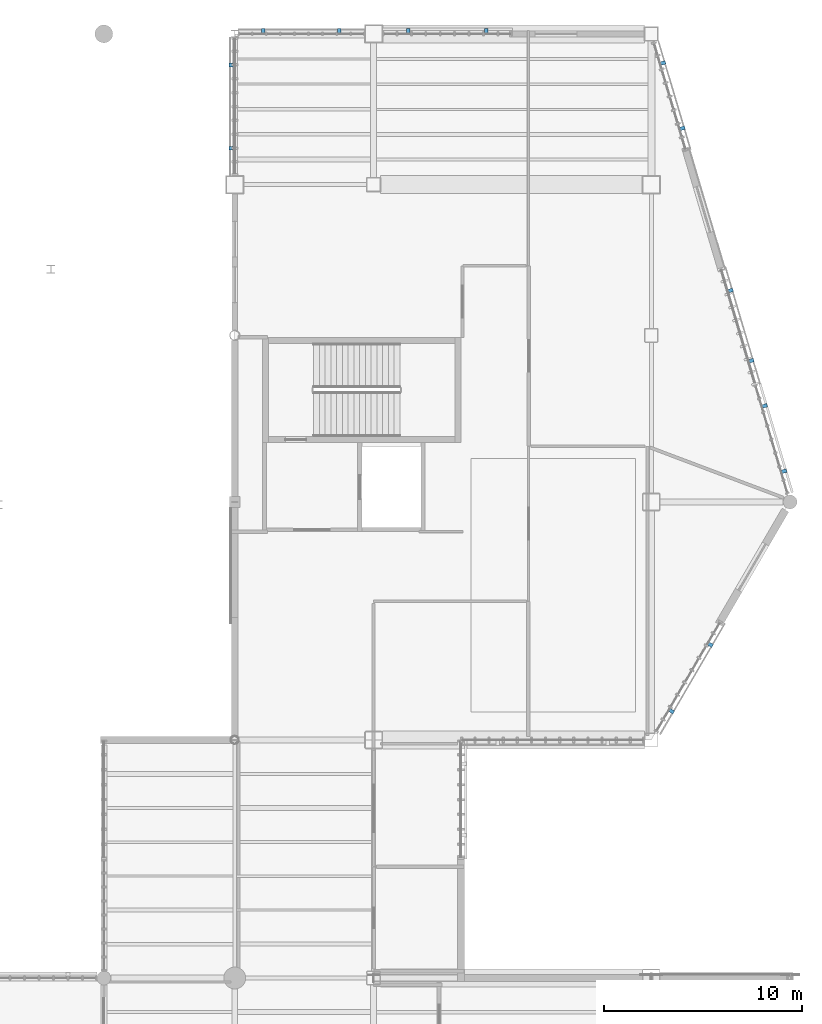
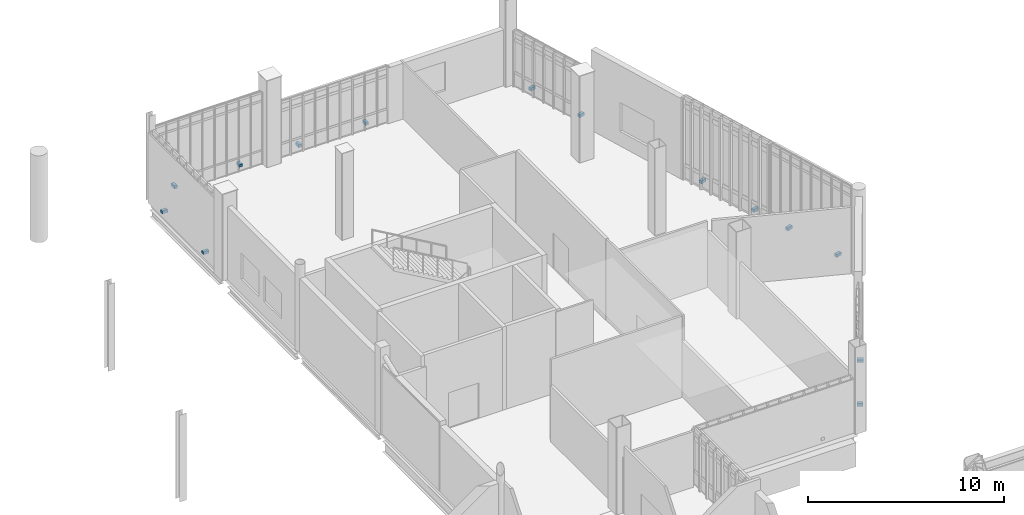
# One storey, part 116 of 127: 14 discrete accessories.
"""IFC4 building model written with IfcOpenShell, lengths in metres."""

import ifcopenshell
import ifcopenshell.guid

model = None  # the IFC model being written
_history = None  # IfcOwnerHistory: only IFC2X3 demands one
_inside = {}  # id of a spatial element -> (the spatial element, [elements in it])
_under = {}  # id of a project, library or spatial element -> (it, [spatial elements below it])
_declared = {}  # id of a project -> (the project, [libraries it declares])
_typed = {}  # id of a type object -> (the type object, [elements of that type])
_made_of = {}  # id of a material, layer set ... -> (it, [elements and type objects made of it])


def new_model(schema):
    """Start an empty IFC model of exactly this schema.

    Asked for "IFC4X3", IfcOpenShell would pick the latest addendum, in which some entities
    have other attributes; the version numbers below select the first issue.
    IFC2X3 requires an IfcOwnerHistory on every rooted entity: one is made here for all.
    """
    global model, _history
    if schema == "IFC4X3":
        model = ifcopenshell.file(schema_version=(4, 3, 0, 0))
    else:
        model = ifcopenshell.file(schema=schema)
    _inside.clear()
    _under.clear()
    _declared.clear()
    _typed.clear()
    _made_of.clear()
    _history = None
    if model.schema == "IFC2X3":
        org = make("IfcOrganization", Name="unknown")
        user = make(
            "IfcPersonAndOrganization",
            ThePerson=make("IfcPerson", FamilyName="unknown"),
            TheOrganization=org,
        )
        app = make(
            "IfcApplication",
            ApplicationDeveloper=org,
            Version="unknown",
            ApplicationFullName="unknown",
            ApplicationIdentifier="unknown",
        )
        _history = make(
            "IfcOwnerHistory",
            OwningUser=user,
            OwningApplication=app,
            ChangeAction="ADDED",
            CreationDate=0,
        )
    return model


def make(cls, **values):
    """One entity of the class cls with the attributes given. An attribute that is None is left unset."""
    return model.create_entity(
        cls, **{name: value for name, value in values.items() if value is not None}
    )


def rooted(cls, **values):
    """An entity with a GlobalId (a new one), such as an element, a storey or a relation."""
    return make(cls, GlobalId=ifcopenshell.guid.new(), OwnerHistory=_history, **values)


def si_unit(unit_type, name, prefix=None):
    """IfcSIUnit, for example si_unit("LENGTHUNIT", "METRE", prefix="MILLI")."""
    return make("IfcSIUnit", UnitType=unit_type, Prefix=prefix, Name=name)


def assignment(units):
    """IfcUnitAssignment: the units of a project."""
    return None if units is None else make("IfcUnitAssignment", Units=units)


def point(xyz):
    """IfcCartesianPoint."""
    return None if xyz is None else make("IfcCartesianPoint", Coordinates=xyz)


def direction(xyz):
    """IfcDirection."""
    return None if xyz is None else make("IfcDirection", DirectionRatios=xyz)


def frame(location, z_axis=None, x_axis=None):
    """IfcAxis2Placement3D, a coordinate frame: its origin and axes. An axis left out is left unset."""
    return make(
        "IfcAxis2Placement3D",
        Location=point(location),
        Axis=direction(z_axis),
        RefDirection=direction(x_axis),
    )


def frame_2d(location, x_axis=None):
    """IfcAxis2Placement2D, a coordinate frame in the plane: its origin and x axis."""
    return make(
        "IfcAxis2Placement2D", Location=point(location), RefDirection=direction(x_axis)
    )


def origin():
    """The frame at (0, 0, 0) with its axes left unset."""
    return frame((0.0, 0.0, 0.0))


def origin_2d():
    """The frame at (0, 0) in the plane with its x axis left unset."""
    return frame_2d((0.0, 0.0))


def place(relative_to, where):
    """IfcLocalPlacement: puts the frame where relative to a parent placement (None: the world)."""
    return make(
        "IfcLocalPlacement", PlacementRelTo=relative_to, RelativePlacement=where
    )


def context(
    kind, dimensions, precision=None, world=None, true_north=None, identifier=None
):
    """IfcGeometricRepresentationContext, for example the 3D "Model" context."""
    return make(
        "IfcGeometricRepresentationContext",
        ContextIdentifier=identifier,
        ContextType=kind,
        CoordinateSpaceDimension=dimensions,
        Precision=precision,
        WorldCoordinateSystem=world,
        TrueNorth=true_north,
    )


def subcontext(parent, identifier, kind, view, scale=None):
    """IfcGeometricRepresentationSubContext, for example "Body" below "Model"."""
    return make(
        "IfcGeometricRepresentationSubContext",
        ContextIdentifier=identifier,
        ContextType=kind,
        ParentContext=parent,
        TargetScale=scale,
        TargetView=view,
    )


def project(units=None, contexts=None):
    """IfcProject with its units and contexts."""
    return rooted(
        "IfcProject",
        Name="project",
        RepresentationContexts=contexts,
        UnitsInContext=assignment(units),
    )


def spatial(cls, under=None, at=None, **own):
    """A site, building, storey or space (cls), placed at a placement, below another one or the project."""
    s = rooted(cls, ObjectPlacement=at, **own)
    if under is not None:
        _under.setdefault(under.id(), (under, []))[1].append(s)
    return s


def profile(cls, at=None, kind="AREA", **sizes):
    """A parametric profile (cls). Its sizes go by their IFC names, for example OverallWidth=200.0."""
    return make(cls, ProfileType=kind, Position=at, **sizes)


def rectangle(**sizes):
    """IfcRectangleProfileDef."""
    return profile("IfcRectangleProfileDef", **sizes)


def extrude(swept, where, along, depth):
    """IfcExtrudedAreaSolid: the profile swept, set in the frame where, extruded along a direction by depth."""
    return make(
        "IfcExtrudedAreaSolid",
        SweptArea=swept,
        Position=where,
        ExtrudedDirection=direction(along),
        Depth=depth,
    )


def shape(context_of_items, identifier, shape_type, items):
    """IfcShapeRepresentation: the items that make up one representation, for example the "Body"."""
    return make(
        "IfcShapeRepresentation",
        ContextOfItems=context_of_items,
        RepresentationIdentifier=identifier,
        RepresentationType=shape_type,
        Items=items,
    )


def material(Name=None, Category=None):
    """IfcMaterial."""
    return make("IfcMaterial", Name=Name, Category=Category)


def layer(
    of_material, thickness, ventilated=None, Name=None, Category=None, Priority=None
):
    """IfcMaterialLayer: one layer of a wall or slab, of a material (None: an air gap)."""
    return make(
        "IfcMaterialLayer",
        Material=of_material,
        LayerThickness=thickness,
        IsVentilated=ventilated,
        Name=Name,
        Category=Category,
        Priority=Priority,
    )


def layer_set(layers, Name=None):
    """IfcMaterialLayerSet."""
    return make("IfcMaterialLayerSet", MaterialLayers=layers, LayerSetName=Name)


def made_of(thing, what):
    """Note that an element or type object is made of a material, layer set ...; save() writes the relation."""
    if what is not None:
        _made_of.setdefault(what.id(), (what, []))[1].append(thing)
    return thing


def type_object(cls, material=None, **own):
    """A type object (cls), such as IfcWallType, which elements share."""
    return made_of(rooted(cls, **own), material)


def element(
    cls,
    number,
    at=None,
    inside=None,
    cuts=None,
    type_object=None,
    material=None,
    context=None,
    identifier="Body",
    shape_type=None,
    held_by="IfcProductDefinitionShape",
    body=None,
    shapes=None,
    **own,
):
    """One element of the class cls, such as IfcWall. Its Tag is "e" and its number.

    at: its placement. inside: the storey or other place that contains it. cuts: it is an
    opening in that element (IfcRelVoidsElement). A single representation is given by context,
    identifier, shape_type and body (its items); several are given by shapes. held_by: the class
    of the entity that holds the representations. save() writes the other relations.
    """
    e = rooted(cls, Tag="e%d" % number, ObjectPlacement=at, **own)
    if body is not None:
        shapes = [shape(context, identifier, shape_type, body)]
    if shapes is not None:
        e.Representation = make(held_by, Representations=shapes)
    if inside is not None:
        _inside.setdefault(inside.id(), (inside, []))[1].append(e)
    if cuts is not None:
        rooted(
            "IfcRelVoidsElement", RelatingBuildingElement=cuts, RelatedOpeningElement=e
        )
    if type_object is not None:
        _typed.setdefault(type_object.id(), (type_object, []))[1].append(e)
    return made_of(e, material)


def aggregate(whole, parts):
    """IfcRelAggregates: a whole, such as a stair, and the parts it consists of."""
    return rooted("IfcRelAggregates", RelatingObject=whole, RelatedObjects=parts)


def save(model, path):
    """Write the relations noted so far, then the file.

    IfcRelAggregates (storeys below a building ...), IfcRelContainedInSpatialStructure (elements
    in a storey), IfcRelDefinesByType, IfcRelAssociatesMaterial and IfcRelDeclares: one each for
    every whole, place, type object, material and project.
    """
    for whole, parts in _under.values():
        aggregate(whole, parts)
    for where, things in _inside.values():
        rooted(
            "IfcRelContainedInSpatialStructure",
            RelatedElements=things,
            RelatingStructure=where,
        )
    for kind, things in _typed.values():
        rooted("IfcRelDefinesByType", RelatedObjects=things, RelatingType=kind)
    for what, things in _made_of.values():
        rooted("IfcRelAssociatesMaterial", RelatedObjects=things, RelatingMaterial=what)
    for by, libraries in _declared.values():
        rooted("IfcRelDeclares", RelatingContext=by, RelatedDefinitions=libraries)
    model.write(path)


model = new_model("IFC4")

# Units and contexts
model_context = context("Model", 3, precision=1e-05, world=origin(), true_north=direction((0.0, 1.0)))
body_context = subcontext(model_context, "Body", "Model", "MODEL_VIEW")
ifc_project = project(units=[si_unit("LENGTHUNIT", "METRE"), si_unit("AREAUNIT", "SQUARE_METRE"), si_unit("VOLUMEUNIT", "CUBIC_METRE"), si_unit("PLANEANGLEUNIT", "RADIAN"), si_unit("MASSUNIT", "GRAM", prefix="KILO")], contexts=[model_context])

# Site, building, storey
site_placement = place(None, origin())
site = spatial("IfcSite", under=ifc_project, at=site_placement, CompositionType="ELEMENT")
building_placement = place(site_placement, origin())
building = spatial("IfcBuilding", under=site, at=building_placement, Name="Larkvane Passage Sports Hall", CompositionType="ELEMENT")
storey_placement = place(building_placement, frame((0.0, 0.0, 5.39990234375)))
storey = spatial("IfcBuildingStorey", under=building, at=storey_placement, Name="L01", CompositionType="ELEMENT", Elevation=5.39990234375)

# Discrete accessories
ifc_material = material(Name="Steel S355JR", Category="steel")
ifc_layer = layer(ifc_material, 0.179931640625)
ifc_layer_set = layer_set([ifc_layer], Name="Steel S355JR")
discrete_accessory_type = type_object("IfcDiscreteAccessoryType", Name="ACC-BRACKET-STL", PredefinedType="BRACKET", material=ifc_layer_set)
for number, where, z_axis, x_axis, name in (
    (1, (124.47998046875, 93.442626953125, 0.26025390625), (0.0, 0.0, 1.0), (0.0, 1.0, 0.0), "Veil outrigger bracket L01-031-1"),
    (2, (124.47998046875, 97.63232421875, 0.26025390625), (0.0, 0.0, 1.0), (0.0, 1.0, 0.0), "Veil outrigger bracket L01-031-2"),
    (3, (126.047607421875, 99.320068359375, 0.26025390625), (0.0, 0.0, 1.0), (1.0, 0.0, 0.0), "Veil outrigger bracket L01-032-1"),
    (4, (129.87744140625, 99.320068359375, 0.26025390625), (0.0, 0.0, 1.0), (1.0, 0.0, 0.0), "Veil outrigger bracket L01-032-2"),
    (5, (133.356689453125, 99.320068359375, 0.26025390625), (0.0, 0.0, 1.0), (1.0, 0.0, 0.0), "Veil outrigger bracket L01-033-1"),
    (6, (137.289306640625, 99.320068359375, 0.26025390625), (0.0, 0.0, 1.0), (1.0, 0.0, 0.0), "Veil outrigger bracket L01-033-2"),
    (7, (146.1630859375, 97.723388671875, 0.26025390625), (0.0, 0.0, 1.0), (0.284364947432, -0.958716108487, 0.0), "Veil outrigger bracket L01-034-1"),
    (8, (147.1396484375, 94.431396484375, 0.26025390625), (0.0, 0.0, 1.0), (0.284364947432, -0.958716108487, 0.0), "Veil outrigger bracket L01-034-2"),
    (9, (149.56494140625, 86.254150390625, 0.26025390625), (0.0, 0.0, 1.0), (0.284364947432, -0.958716108487, 0.0), "Veil outrigger bracket L01-035-1"),
    (10, (150.614990234375, 82.714111328125, 0.26025390625), (0.0, 0.0, 1.0), (0.284364947432, -0.958716108487, 0.0), "Veil outrigger bracket L01-035-2"),
    (11, (151.29052734375, 80.436767578125, 0.26025390625), (0.0, 0.0, 1.0), (0.284364947432, -0.958716108487, 0.0), "Veil outrigger bracket L01-036-1"),
    (12, (152.26708984375, 77.144775390625, 0.26025390625), (0.0, 0.0, 1.0), (0.284364947432, -0.958716108487, 0.0), "Veil outrigger bracket L01-036-2"),
    (13, (148.551513671875, 68.421630859375, 0.26025390625), (0.0, 0.0, 1.0), (-0.503871025531, -0.863778900894, 0.0), "Veil outrigger bracket L01-037-1"),
    (14, (146.594970703125, 65.067626953125, 0.26025390625), (0.0, 0.0, 1.0), (-0.503871025531, -0.863778900894, 0.0), "Veil outrigger bracket L01-037-2"),
):
    element("IfcDiscreteAccessory", number, at=place(storey_placement, frame(where, z_axis=z_axis, x_axis=x_axis)), inside=storey, type_object=discrete_accessory_type, Name=name, PredefinedType="BRACKET", context=body_context, shape_type="SweptSolid", body=[
        extrude(rectangle(XDim=0.179931640625, YDim=0.320068359375, at=origin_2d()), origin(), (0.0, 0.0, 1.0), 0.179931640625),
    ])

save(model, "model.ifc")
